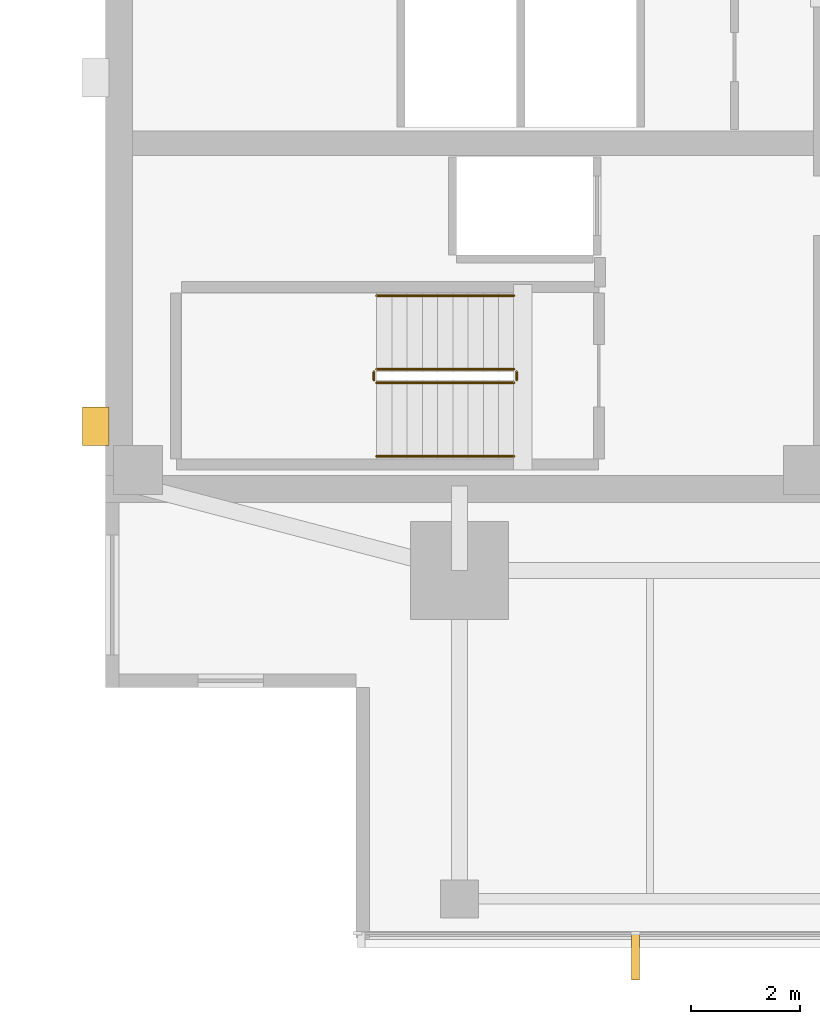
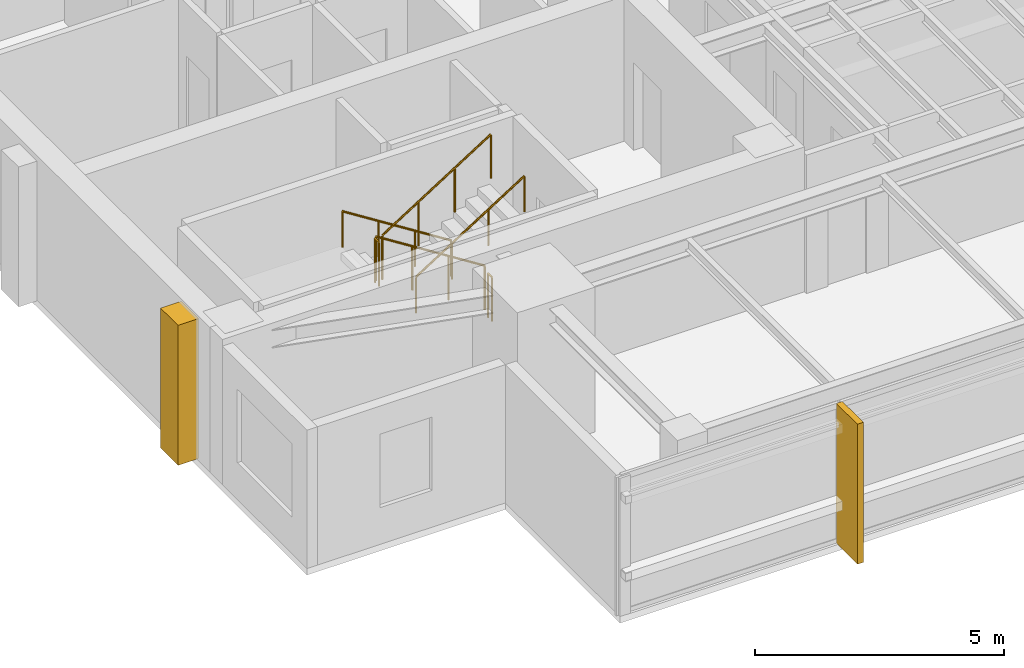
# One storey, part 11 of 14: 6 railings, 2 coverings.
"""IFC4 building model written with IfcOpenShell, lengths in metres."""

from ifc_helpers import new_model, si_unit, direction, frame, origin, origin_2d, place, context, subcontext, project, spatial, polyline, circle, outline, extrude, material, layer, layer_set, type_object, element, save


model = new_model("IFC4")

# Units and contexts
model_context = context("Model", 3, precision=1e-05, world=origin(), true_north=direction((0.0, 1.0)))
body_context = subcontext(model_context, "Body", "Model", "MODEL_VIEW")
ifc_project = project(units=[si_unit("LENGTHUNIT", "METRE"), si_unit("AREAUNIT", "SQUARE_METRE"), si_unit("VOLUMEUNIT", "CUBIC_METRE"), si_unit("PLANEANGLEUNIT", "RADIAN"), si_unit("MASSUNIT", "GRAM", prefix="KILO")], contexts=[model_context])

# Site, building, storey
site_placement = place(None, origin())
site = spatial("IfcSite", under=ifc_project, at=site_placement, CompositionType="ELEMENT")
building_placement = place(site_placement, origin())
building = spatial("IfcBuilding", under=site, at=building_placement, Name="Kinhvarn Gate Tower", CompositionType="ELEMENT")
storey_placement = place(building_placement, frame((0.0, 0.0, 252.800048828125)))
storey = spatial("IfcBuildingStorey", under=building, at=storey_placement, Name="L67", CompositionType="ELEMENT", Elevation=252.800048828125)

# Coverings
ifc_material_1 = material(Name="Fired architectural terracotta", Category="masonry")
ifc_layer_1 = layer(ifc_material_1, 0.139892578125)
ifc_layer_set_1 = layer_set([ifc_layer_1], Name="Fired architectural terracotta")
covering_type_1 = type_object("IfcCoveringType", Name="COV-FIN-850", PredefinedType="CLADDING", material=ifc_layer_set_1)
covering_1_placement = place(storey_placement, frame((0.0, 0.0, -0.02001953125)))
element("IfcCovering", 1, at=covering_1_placement, inside=storey, type_object=covering_type_1, Name="Vertical Terracotta Expressive Fin TFN-850 (L67)", PredefinedType="CLADDING", context=body_context, shape_type="SweptSolid", body=[
    extrude(outline(polyline([(14.163330078125, 6.080078125), (14.30322265625, 6.080078125), (14.30322265625, 5.22998046875), (14.163330078125, 5.22998046875), (14.163330078125, 6.080078125)])), origin(), (0.0, 0.0, 1.0), 3.429931640625),
])
ifc_material_2 = material(Name="Precast white architectural concrete C40/50", Category="concrete")
ifc_layer_2 = layer(ifc_material_2, 0.47998046875)
ifc_layer_set_2 = layer_set([ifc_layer_2], Name="Precast white architectural concrete C40/50")
covering_type_2 = type_object("IfcCoveringType", Name="COV-RIB-450", PredefinedType="CLADDING", material=ifc_layer_set_2)
covering_2_placement = place(storey_placement, frame((0.0, 0.0, -0.02001953125)))
element("IfcCovering", 2, at=covering_2_placement, inside=storey, type_object=covering_type_2, Name="West Core Sculptural Concrete Relief Rib CRB-450 (L67)", PredefinedType="CLADDING", context=body_context, shape_type="SweptSolid", body=[
    extrude(outline(polyline([(4.080078125, 15.050048828125), (4.56005859375, 15.050048828125), (4.56005859375, 15.75), (4.080078125, 15.75), (4.080078125, 15.050048828125)])), origin(), (0.0, 0.0, 1.0), 3.429931640625),
])

# Railings
ifc_material_3 = material(Name="Steel S355", Category="steel")
railing_type_1 = type_object("IfcRailingType", Name="RL-ST-GRD", PredefinedType="BALUSTRADE", material=ifc_material_3)
railing_1_placement = place(storey_placement, frame((12.0, 16.449951171875, 0.177490234375)))
element("IfcRailing", 3, at=railing_1_placement, inside=storey, type_object=railing_type_1, Name="L67 ST1 stair guard 1", PredefinedType="BALUSTRADE", context=body_context, shape_type="SweptSolid", body=[
    extrude(circle(Radius=0.02392578125, at=origin_2d()), frame((0.0, 0.0, 1.076171875), z_axis=(-0.84460694969, 0.0, 0.535386869969), x_axis=(0.0, -1.0, 0.0)), (0.0, 0.0, 1.0), 2.983642578125),
    extrude(circle(Radius=0.02099609375, at=origin_2d()), origin(), (0.0, 0.0, 1.0), 1.052001953125),
    extrude(circle(Radius=0.02099609375, at=origin_2d()), frame((-0.840087890625, 0.0, 0.532470703125)), (0.0, 0.0, 1.0), 1.052001953125),
    extrude(circle(Radius=0.02099609375, at=origin_2d()), frame((-1.679931640625, 0.0, 1.06494140625)), (0.0, 0.0, 1.0), 1.052001953125),
    extrude(circle(Radius=0.02099609375, at=origin_2d()), frame((-2.52001953125, 0.0, 1.597412109375)), (0.0, 0.0, 1.0), 1.052001953125),
])
railing_2_placement = place(storey_placement, frame((9.429931640625, 16.39990234375, 1.77490234375)))
element("IfcRailing", 4, at=railing_2_placement, inside=storey, type_object=railing_type_1, Name="L67 ST1 stair guard 2", PredefinedType="BALUSTRADE", context=body_context, shape_type="SweptSolid", body=[
    extrude(circle(Radius=0.02392578125, at=origin_2d()), frame((0.0, 0.0, 1.076171875), z_axis=(0.0, -1.0, 0.0), x_axis=(1.0, 0.0, 0.0)), (0.0, 0.0, 1.0), 0.14990234375),
    extrude(circle(Radius=0.02099609375, at=origin_2d()), origin(), (0.0, 0.0, 1.0), 1.052001953125),
    extrude(circle(Radius=0.02099609375, at=origin_2d()), frame((0.0, -0.14990234375, 0.0)), (0.0, 0.0, 1.0), 1.052001953125),
])
railing_3_placement = place(storey_placement, frame((9.47998046875, 16.199951171875, 1.952392578125)))
element("IfcRailing", 5, at=railing_3_placement, inside=storey, type_object=railing_type_1, Name="L67 ST1 stair guard 3", PredefinedType="BALUSTRADE", context=body_context, shape_type="SweptSolid", body=[
    extrude(circle(Radius=0.02392578125, at=origin_2d()), frame((0.0, 0.0, 1.076171875), z_axis=(0.84456994832, 0.0, 0.535445237532), x_axis=(0.0, 1.0, 0.0)), (0.0, 0.0, 1.0), 2.98388671875),
    extrude(circle(Radius=0.02099609375, at=origin_2d()), origin(), (0.0, 0.0, 1.0), 1.052001953125),
    extrude(circle(Radius=0.02099609375, at=origin_2d()), frame((0.840087890625, 0.0, 0.532470703125)), (0.0, 0.0, 1.0), 1.052001953125),
    extrude(circle(Radius=0.02099609375, at=origin_2d()), frame((1.679931640625, 0.0, 1.065185546875)), (0.0, 0.0, 1.0), 1.052001953125),
    extrude(circle(Radius=0.02099609375, at=origin_2d()), frame((2.52001953125, 0.0, 1.59765625)), (0.0, 0.0, 1.0), 1.052001953125),
])
railing_4_placement = place(storey_placement, frame((12.050048828125, 16.39990234375, 0.0)))
element("IfcRailing", 6, at=railing_4_placement, inside=storey, type_object=railing_type_1, Name="L67 ST1 stair guard 4", PredefinedType="BALUSTRADE", context=body_context, shape_type="SweptSolid", body=[
    extrude(circle(Radius=0.02392578125, at=origin_2d()), frame((0.0, 0.0, 1.076171875), z_axis=(0.0, -1.0, 0.0), x_axis=(1.0, 0.0, 0.0)), (0.0, 0.0, 1.0), 0.14990234375),
    extrude(circle(Radius=0.02099609375, at=origin_2d()), origin(), (0.0, 0.0, 1.0), 1.052001953125),
    extrude(circle(Radius=0.02099609375, at=origin_2d()), frame((0.0, -0.14990234375, 0.0)), (0.0, 0.0, 1.0), 1.052001953125),
])
railing_type_2 = type_object("IfcRailingType", Name="RL-ST-HND", PredefinedType="HANDRAIL", material=ifc_material_3)
railing_5_placement = place(storey_placement, frame((12.0, 17.800048828125, 0.177490234375)))
element("IfcRailing", 7, at=railing_5_placement, inside=storey, type_object=railing_type_2, Name="L67 ST1 stair handrail 1", PredefinedType="HANDRAIL", context=body_context, shape_type="SweptSolid", body=[
    extrude(circle(Radius=0.02392578125, at=origin_2d()), frame((0.0, 0.0, 0.8759765625), z_axis=(-0.84460694969, 0.0, 0.535386869969), x_axis=(0.0, -1.0, 0.0)), (0.0, 0.0, 1.0), 2.983642578125),
    extrude(circle(Radius=0.02099609375, at=origin_2d()), origin(), (0.0, 0.0, 1.0), 0.851806640625),
    extrude(circle(Radius=0.02099609375, at=origin_2d()), frame((-0.840087890625, 0.0, 0.532470703125)), (0.0, 0.0, 1.0), 0.851806640625),
    extrude(circle(Radius=0.02099609375, at=origin_2d()), frame((-1.679931640625, 0.0, 1.06494140625)), (0.0, 0.0, 1.0), 0.851806640625),
    extrude(circle(Radius=0.02099609375, at=origin_2d()), frame((-2.52001953125, 0.0, 1.597412109375)), (0.0, 0.0, 1.0), 0.851806640625),
])
railing_6_placement = place(storey_placement, frame((9.47998046875, 14.85009765625, 1.952392578125)))
element("IfcRailing", 8, at=railing_6_placement, inside=storey, type_object=railing_type_2, Name="L67 ST1 stair handrail 2", PredefinedType="HANDRAIL", context=body_context, shape_type="SweptSolid", body=[
    extrude(circle(Radius=0.02392578125, at=origin_2d()), frame((0.0, 0.0, 0.8759765625), z_axis=(0.84456994832, 0.0, 0.535445237532), x_axis=(0.0, 1.0, 0.0)), (0.0, 0.0, 1.0), 2.98388671875),
    extrude(circle(Radius=0.02099609375, at=origin_2d()), origin(), (0.0, 0.0, 1.0), 0.851806640625),
    extrude(circle(Radius=0.02099609375, at=origin_2d()), frame((0.840087890625, 0.0, 0.532470703125)), (0.0, 0.0, 1.0), 0.851806640625),
    extrude(circle(Radius=0.02099609375, at=origin_2d()), frame((1.679931640625, 0.0, 1.065185546875)), (0.0, 0.0, 1.0), 0.851806640625),
    extrude(circle(Radius=0.02099609375, at=origin_2d()), frame((2.52001953125, 0.0, 1.59765625)), (0.0, 0.0, 1.0), 0.851806640625),
])

save(model, "model.ifc")
